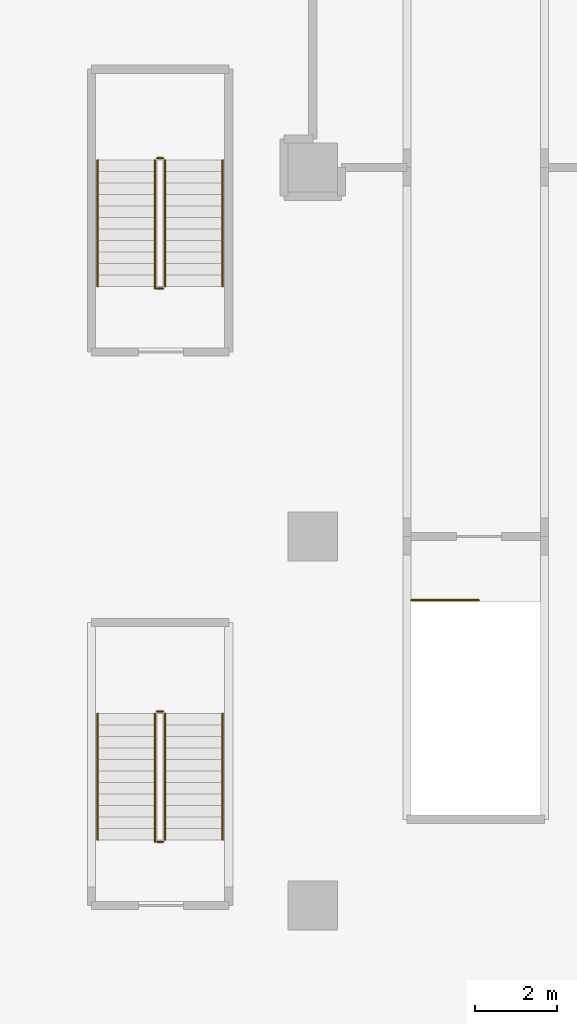
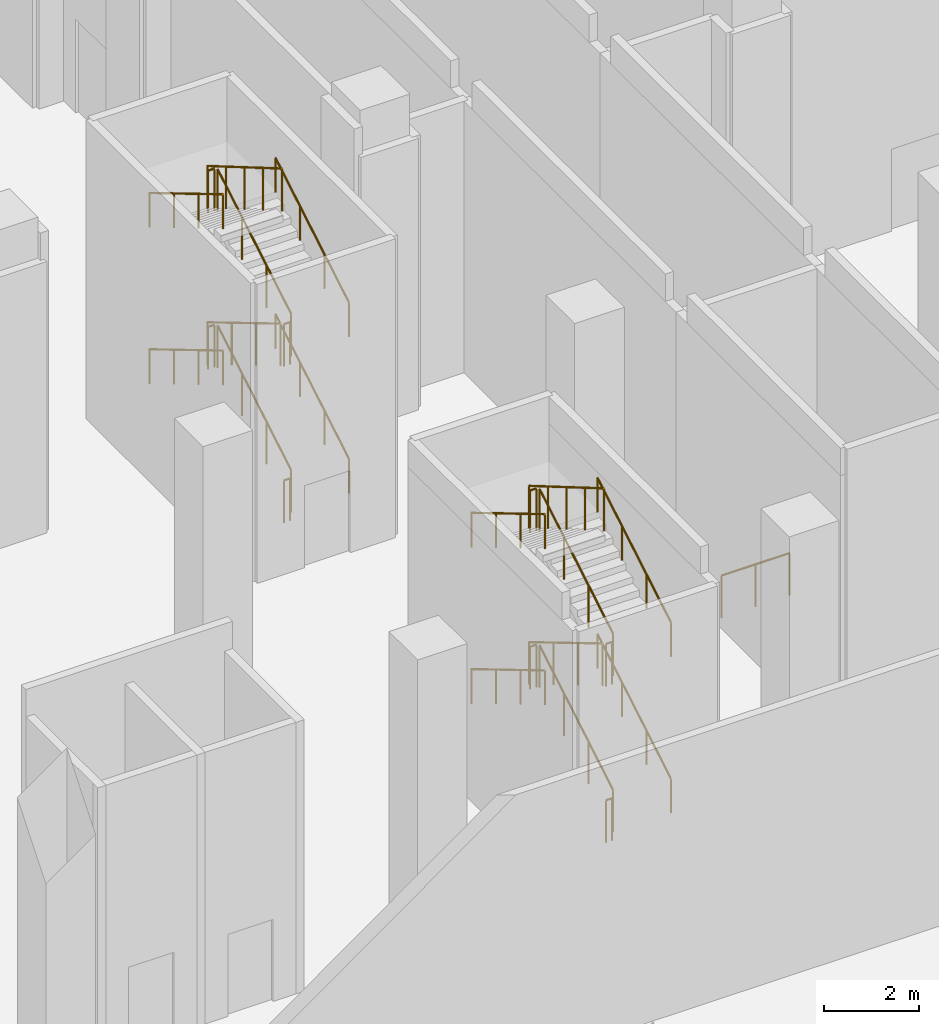
# One storey, part 34 of 42: 25 railings.
"""IFC4 building model written with IfcOpenShell, lengths in metres."""

from ifc_helpers import new_model, si_unit, direction, frame, origin, origin_2d, place, context, subcontext, project, spatial, circle, extrude, material, type_object, element, save


model = new_model("IFC4")

# Units and contexts
model_context = context("Model", 3, precision=1e-05, world=origin(), true_north=direction((0.0, 1.0)))
body_context = subcontext(model_context, "Body", "Model", "MODEL_VIEW")
ifc_project = project(units=[si_unit("LENGTHUNIT", "METRE"), si_unit("AREAUNIT", "SQUARE_METRE"), si_unit("VOLUMEUNIT", "CUBIC_METRE"), si_unit("PLANEANGLEUNIT", "RADIAN"), si_unit("MASSUNIT", "GRAM", prefix="KILO")], contexts=[model_context])

# Site, building, storey
site_placement = place(None, origin())
site = spatial("IfcSite", under=ifc_project, at=site_placement, CompositionType="ELEMENT")
building_placement = place(site_placement, origin())
building = spatial("IfcBuilding", under=site, at=building_placement, Name="Plateau Cross Towers", CompositionType="ELEMENT")
storey_placement = place(building_placement, origin())
storey = spatial("IfcBuildingStorey", under=building, at=storey_placement, Name="L00", CompositionType="ELEMENT", Elevation=0.0)

# Railings
ifc_material_1 = material(Name="Stainless steel and toughened glass", Category="steel")
railing_type_1 = type_object("IfcRailingType", Name="RL-GUARD-1100", PredefinedType="GUARDRAIL", material=ifc_material_1)
railing_1_placement = place(storey_placement, frame((38.39990234375, 34.449951171875, 0.0)))
element("IfcRailing", 1, at=railing_1_placement, inside=storey, type_object=railing_type_1, Name="L00 PB2 top well guard 1", PredefinedType="GUARDRAIL", context=body_context, shape_type="SweptSolid", body=[
    extrude(circle(Radius=0.02392578125, at=origin_2d()), frame((0.0, 0.0, 1.076171875), z_axis=(1.0, 0.0, 0.0), x_axis=(0.0, 1.0, 0.0)), (0.0, 0.0, 1.0), 1.650146484375),
    extrude(circle(Radius=0.02099609375, at=origin_2d()), origin(), (0.0, 0.0, 1.0), 1.052001953125),
    extrude(circle(Radius=0.02099609375, at=origin_2d()), frame((0.8251953125, 0.0, 0.0)), (0.0, 0.0, 1.0), 1.052001953125),
    extrude(circle(Radius=0.02099609375, at=origin_2d()), frame((1.650146484375, 0.0, 0.0)), (0.0, 0.0, 1.0), 1.052001953125),
])
railing_2_placement = place(storey_placement, frame((32.39990234375, 28.60009765625, 0.166748046875)))
element("IfcRailing", 2, at=railing_2_placement, inside=storey, type_object=railing_type_1, Name="L00 PS1 stair guard 1", PredefinedType="GUARDRAIL", context=body_context, shape_type="SweptSolid", body=[
    extrude(circle(Radius=0.02392578125, at=origin_2d()), frame((0.0, 0.0, 1.076171875), z_axis=(0.0, 0.859290745958, 0.51148745235), x_axis=(-1.0, 0.0, 0.0)), (0.0, 0.0, 1.0), 3.584228515625),
    extrude(circle(Radius=0.02099609375, at=origin_2d()), origin(), (0.0, 0.0, 1.0), 1.052001953125),
    extrude(circle(Radius=0.02099609375, at=origin_2d()), frame((0.0, 1.026611328125, 0.611083984375)), (0.0, 0.0, 1.0), 1.052001953125),
    extrude(circle(Radius=0.02099609375, at=origin_2d()), frame((0.0, 2.05322265625, 1.22216796875)), (0.0, 0.0, 1.0), 1.052001953125),
    extrude(circle(Radius=0.02099609375, at=origin_2d()), frame((0.0, 3.079833984375, 1.833251953125)), (0.0, 0.0, 1.0), 1.052001953125),
])
railing_3_placement = place(storey_placement, frame((32.35009765625, 31.72998046875, 2.0)))
element("IfcRailing", 3, at=railing_3_placement, inside=storey, type_object=railing_type_1, Name="L00 PS1 stair guard 2", PredefinedType="GUARDRAIL", context=body_context, shape_type="SweptSolid", body=[
    extrude(circle(Radius=0.02392578125, at=origin_2d()), frame((0.0, 0.0, 1.076171875), z_axis=(-1.0, 0.0, 0.0), x_axis=(0.0, -1.0, 0.0)), (0.0, 0.0, 1.0), 0.150146484375),
    extrude(circle(Radius=0.02099609375, at=origin_2d()), origin(), (0.0, 0.0, 1.0), 1.052001953125),
    extrude(circle(Radius=0.02099609375, at=origin_2d()), frame((-0.150146484375, 0.0, 0.0)), (0.0, 0.0, 1.0), 1.052001953125),
])
railing_4_placement = place(storey_placement, frame((32.14990234375, 31.679931640625, 2.166748046875)))
element("IfcRailing", 4, at=railing_4_placement, inside=storey, type_object=railing_type_1, Name="L00 PS1 stair guard 3", PredefinedType="GUARDRAIL", context=body_context, shape_type="SweptSolid", body=[
    extrude(circle(Radius=0.02392578125, at=origin_2d()), frame((0.0, 0.0, 1.076171875), z_axis=(0.0, -0.859290745958, 0.51148745235), x_axis=(1.0, 0.0, 0.0)), (0.0, 0.0, 1.0), 3.584228515625),
    extrude(circle(Radius=0.02099609375, at=origin_2d()), origin(), (0.0, 0.0, 1.0), 1.052001953125),
    extrude(circle(Radius=0.02099609375, at=origin_2d()), frame((0.0, -1.026611328125, 0.611083984375)), (0.0, 0.0, 1.0), 1.052001953125),
    extrude(circle(Radius=0.02099609375, at=origin_2d()), frame((0.0, -2.05322265625, 1.22216796875)), (0.0, 0.0, 1.0), 1.052001953125),
    extrude(circle(Radius=0.02099609375, at=origin_2d()), frame((0.0, -3.079833984375, 1.833251953125)), (0.0, 0.0, 1.0), 1.052001953125),
])
railing_5_placement = place(storey_placement, frame((32.35009765625, 28.550048828125, 4.0)))
element("IfcRailing", 5, at=railing_5_placement, inside=storey, type_object=railing_type_1, Name="L00 PS1 stair guard 4", PredefinedType="GUARDRAIL", context=body_context, shape_type="SweptSolid", body=[
    extrude(circle(Radius=0.02392578125, at=origin_2d()), frame((0.0, 0.0, 1.076171875), z_axis=(-1.0, 0.0, 0.0), x_axis=(0.0, -1.0, 0.0)), (0.0, 0.0, 1.0), 0.150146484375),
    extrude(circle(Radius=0.02099609375, at=origin_2d()), origin(), (0.0, 0.0, 1.0), 1.052001953125),
    extrude(circle(Radius=0.02099609375, at=origin_2d()), frame((-0.150146484375, 0.0, 0.0)), (0.0, 0.0, 1.0), 1.052001953125),
])
railing_6_placement = place(storey_placement, frame((32.39990234375, 28.60009765625, 4.166748046875)))
element("IfcRailing", 6, at=railing_6_placement, inside=storey, type_object=railing_type_1, Name="L00 PS1 stair guard 5", PredefinedType="GUARDRAIL", context=body_context, shape_type="SweptSolid", body=[
    extrude(circle(Radius=0.02392578125, at=origin_2d()), frame((0.0, 0.0, 1.076171875), z_axis=(0.0, 0.859290745958, 0.51148745235), x_axis=(-1.0, 0.0, 0.0)), (0.0, 0.0, 1.0), 3.584228515625),
    extrude(circle(Radius=0.02099609375, at=origin_2d()), origin(), (0.0, 0.0, 1.0), 1.052001953125),
    extrude(circle(Radius=0.02099609375, at=origin_2d()), frame((0.0, 1.026611328125, 0.611083984375)), (0.0, 0.0, 1.0), 1.052001953125),
    extrude(circle(Radius=0.02099609375, at=origin_2d()), frame((0.0, 2.05322265625, 1.22216796875)), (0.0, 0.0, 1.0), 1.052001953125),
    extrude(circle(Radius=0.02099609375, at=origin_2d()), frame((0.0, 3.079833984375, 1.833251953125)), (0.0, 0.0, 1.0), 1.052001953125),
])
railing_7_placement = place(storey_placement, frame((32.35009765625, 31.72998046875, 6.0)))
element("IfcRailing", 7, at=railing_7_placement, inside=storey, type_object=railing_type_1, Name="L00 PS1 stair guard 6", PredefinedType="GUARDRAIL", context=body_context, shape_type="SweptSolid", body=[
    extrude(circle(Radius=0.02392578125, at=origin_2d()), frame((0.0, 0.0, 1.076171875), z_axis=(-1.0, 0.0, 0.0), x_axis=(0.0, -1.0, 0.0)), (0.0, 0.0, 1.0), 0.150146484375),
    extrude(circle(Radius=0.02099609375, at=origin_2d()), origin(), (0.0, 0.0, 1.0), 1.052001953125),
    extrude(circle(Radius=0.02099609375, at=origin_2d()), frame((-0.150146484375, 0.0, 0.0)), (0.0, 0.0, 1.0), 1.052001953125),
])
railing_8_placement = place(storey_placement, frame((32.14990234375, 31.679931640625, 6.166748046875)))
element("IfcRailing", 8, at=railing_8_placement, inside=storey, type_object=railing_type_1, Name="L00 PS1 stair guard 7", PredefinedType="GUARDRAIL", context=body_context, shape_type="SweptSolid", body=[
    extrude(circle(Radius=0.02392578125, at=origin_2d()), frame((0.0, 0.0, 1.076171875), z_axis=(0.0, -0.862879167799, 0.505410270749), x_axis=(1.0, 0.0, 0.0)), (0.0, 0.0, 1.0), 3.627197265625),
    extrude(circle(Radius=0.02099609375, at=origin_2d()), origin(), (0.0, 0.0, 1.0), 1.052001953125),
    extrude(circle(Radius=0.02099609375, at=origin_2d()), frame((0.0, -0.782470703125, 0.458251953125)), (0.0, 0.0, 1.0), 1.052001953125),
    extrude(circle(Radius=0.02099609375, at=origin_2d()), frame((0.0, -1.56494140625, 0.91650390625)), (0.0, 0.0, 1.0), 1.052001953125),
    extrude(circle(Radius=0.02099609375, at=origin_2d()), frame((0.0, -2.347412109375, 1.375)), (0.0, 0.0, 1.0), 1.052001953125),
    extrude(circle(Radius=0.02099609375, at=origin_2d()), frame((0.0, -3.1298828125, 1.833251953125)), (0.0, 0.0, 1.0), 1.052001953125),
])
railing_9_placement = place(storey_placement, frame((32.35009765625, 28.550048828125, 0.0)))
element("IfcRailing", 9, at=railing_9_placement, inside=storey, type_object=railing_type_1, Name="L00 PS1 stair guard 8", PredefinedType="GUARDRAIL", context=body_context, shape_type="SweptSolid", body=[
    extrude(circle(Radius=0.02392578125, at=origin_2d()), frame((0.0, 0.0, 1.076171875), z_axis=(-1.0, 0.0, 0.0), x_axis=(0.0, -1.0, 0.0)), (0.0, 0.0, 1.0), 0.150146484375),
    extrude(circle(Radius=0.02099609375, at=origin_2d()), origin(), (0.0, 0.0, 1.0), 1.052001953125),
    extrude(circle(Radius=0.02099609375, at=origin_2d()), frame((-0.150146484375, 0.0, 0.0)), (0.0, 0.0, 1.0), 1.052001953125),
])
railing_10_placement = place(storey_placement, frame((32.39990234375, 42.10009765625, 0.166748046875)))
element("IfcRailing", 10, at=railing_10_placement, inside=storey, type_object=railing_type_1, Name="L00 PS2 stair guard 1", PredefinedType="GUARDRAIL", context=body_context, shape_type="SweptSolid", body=[
    extrude(circle(Radius=0.02392578125, at=origin_2d()), frame((0.0, 0.0, 1.076171875), z_axis=(0.0, 0.859290745958, 0.51148745235), x_axis=(-1.0, 0.0, 0.0)), (0.0, 0.0, 1.0), 3.584228515625),
    extrude(circle(Radius=0.02099609375, at=origin_2d()), origin(), (0.0, 0.0, 1.0), 1.052001953125),
    extrude(circle(Radius=0.02099609375, at=origin_2d()), frame((0.0, 1.026611328125, 0.611083984375)), (0.0, 0.0, 1.0), 1.052001953125),
    extrude(circle(Radius=0.02099609375, at=origin_2d()), frame((0.0, 2.05322265625, 1.22216796875)), (0.0, 0.0, 1.0), 1.052001953125),
    extrude(circle(Radius=0.02099609375, at=origin_2d()), frame((0.0, 3.079833984375, 1.833251953125)), (0.0, 0.0, 1.0), 1.052001953125),
])
railing_11_placement = place(storey_placement, frame((32.35009765625, 45.22998046875, 2.0)))
element("IfcRailing", 11, at=railing_11_placement, inside=storey, type_object=railing_type_1, Name="L00 PS2 stair guard 2", PredefinedType="GUARDRAIL", context=body_context, shape_type="SweptSolid", body=[
    extrude(circle(Radius=0.02392578125, at=origin_2d()), frame((0.0, 0.0, 1.076171875), z_axis=(-1.0, 0.0, 0.0), x_axis=(0.0, -1.0, 0.0)), (0.0, 0.0, 1.0), 0.150146484375),
    extrude(circle(Radius=0.02099609375, at=origin_2d()), origin(), (0.0, 0.0, 1.0), 1.052001953125),
    extrude(circle(Radius=0.02099609375, at=origin_2d()), frame((-0.150146484375, 0.0, 0.0)), (0.0, 0.0, 1.0), 1.052001953125),
])
railing_12_placement = place(storey_placement, frame((32.14990234375, 45.179931640625, 2.166748046875)))
element("IfcRailing", 12, at=railing_12_placement, inside=storey, type_object=railing_type_1, Name="L00 PS2 stair guard 3", PredefinedType="GUARDRAIL", context=body_context, shape_type="SweptSolid", body=[
    extrude(circle(Radius=0.02392578125, at=origin_2d()), frame((0.0, 0.0, 1.076171875), z_axis=(0.0, -0.859290745958, 0.51148745235), x_axis=(1.0, 0.0, 0.0)), (0.0, 0.0, 1.0), 3.584228515625),
    extrude(circle(Radius=0.02099609375, at=origin_2d()), origin(), (0.0, 0.0, 1.0), 1.052001953125),
    extrude(circle(Radius=0.02099609375, at=origin_2d()), frame((0.0, -1.026611328125, 0.611083984375)), (0.0, 0.0, 1.0), 1.052001953125),
    extrude(circle(Radius=0.02099609375, at=origin_2d()), frame((0.0, -2.05322265625, 1.22216796875)), (0.0, 0.0, 1.0), 1.052001953125),
    extrude(circle(Radius=0.02099609375, at=origin_2d()), frame((0.0, -3.079833984375, 1.833251953125)), (0.0, 0.0, 1.0), 1.052001953125),
])
railing_13_placement = place(storey_placement, frame((32.35009765625, 42.050048828125, 4.0)))
element("IfcRailing", 13, at=railing_13_placement, inside=storey, type_object=railing_type_1, Name="L00 PS2 stair guard 4", PredefinedType="GUARDRAIL", context=body_context, shape_type="SweptSolid", body=[
    extrude(circle(Radius=0.02392578125, at=origin_2d()), frame((0.0, 0.0, 1.076171875), z_axis=(-1.0, 0.0, 0.0), x_axis=(0.0, -1.0, 0.0)), (0.0, 0.0, 1.0), 0.150146484375),
    extrude(circle(Radius=0.02099609375, at=origin_2d()), origin(), (0.0, 0.0, 1.0), 1.052001953125),
    extrude(circle(Radius=0.02099609375, at=origin_2d()), frame((-0.150146484375, 0.0, 0.0)), (0.0, 0.0, 1.0), 1.052001953125),
])
railing_14_placement = place(storey_placement, frame((32.39990234375, 42.10009765625, 4.166748046875)))
element("IfcRailing", 14, at=railing_14_placement, inside=storey, type_object=railing_type_1, Name="L00 PS2 stair guard 5", PredefinedType="GUARDRAIL", context=body_context, shape_type="SweptSolid", body=[
    extrude(circle(Radius=0.02392578125, at=origin_2d()), frame((0.0, 0.0, 1.076171875), z_axis=(0.0, 0.859290745958, 0.51148745235), x_axis=(-1.0, 0.0, 0.0)), (0.0, 0.0, 1.0), 3.584228515625),
    extrude(circle(Radius=0.02099609375, at=origin_2d()), origin(), (0.0, 0.0, 1.0), 1.052001953125),
    extrude(circle(Radius=0.02099609375, at=origin_2d()), frame((0.0, 1.026611328125, 0.611083984375)), (0.0, 0.0, 1.0), 1.052001953125),
    extrude(circle(Radius=0.02099609375, at=origin_2d()), frame((0.0, 2.05322265625, 1.22216796875)), (0.0, 0.0, 1.0), 1.052001953125),
    extrude(circle(Radius=0.02099609375, at=origin_2d()), frame((0.0, 3.079833984375, 1.833251953125)), (0.0, 0.0, 1.0), 1.052001953125),
])
railing_15_placement = place(storey_placement, frame((32.35009765625, 45.22998046875, 6.0)))
element("IfcRailing", 15, at=railing_15_placement, inside=storey, type_object=railing_type_1, Name="L00 PS2 stair guard 6", PredefinedType="GUARDRAIL", context=body_context, shape_type="SweptSolid", body=[
    extrude(circle(Radius=0.02392578125, at=origin_2d()), frame((0.0, 0.0, 1.076171875), z_axis=(-1.0, 0.0, 0.0), x_axis=(0.0, -1.0, 0.0)), (0.0, 0.0, 1.0), 0.150146484375),
    extrude(circle(Radius=0.02099609375, at=origin_2d()), origin(), (0.0, 0.0, 1.0), 1.052001953125),
    extrude(circle(Radius=0.02099609375, at=origin_2d()), frame((-0.150146484375, 0.0, 0.0)), (0.0, 0.0, 1.0), 1.052001953125),
])
railing_16_placement = place(storey_placement, frame((32.14990234375, 45.179931640625, 6.166748046875)))
element("IfcRailing", 16, at=railing_16_placement, inside=storey, type_object=railing_type_1, Name="L00 PS2 stair guard 7", PredefinedType="GUARDRAIL", context=body_context, shape_type="SweptSolid", body=[
    extrude(circle(Radius=0.02392578125, at=origin_2d()), frame((0.0, 0.0, 1.076171875), z_axis=(0.0, -0.862879167799, 0.505410270749), x_axis=(1.0, 0.0, 0.0)), (0.0, 0.0, 1.0), 3.627197265625),
    extrude(circle(Radius=0.02099609375, at=origin_2d()), origin(), (0.0, 0.0, 1.0), 1.052001953125),
    extrude(circle(Radius=0.02099609375, at=origin_2d()), frame((0.0, -0.782470703125, 0.458251953125)), (0.0, 0.0, 1.0), 1.052001953125),
    extrude(circle(Radius=0.02099609375, at=origin_2d()), frame((0.0, -1.56494140625, 0.91650390625)), (0.0, 0.0, 1.0), 1.052001953125),
    extrude(circle(Radius=0.02099609375, at=origin_2d()), frame((0.0, -2.347412109375, 1.375)), (0.0, 0.0, 1.0), 1.052001953125),
    extrude(circle(Radius=0.02099609375, at=origin_2d()), frame((0.0, -3.1298828125, 1.833251953125)), (0.0, 0.0, 1.0), 1.052001953125),
])
railing_17_placement = place(storey_placement, frame((32.35009765625, 42.050048828125, 0.0)))
element("IfcRailing", 17, at=railing_17_placement, inside=storey, type_object=railing_type_1, Name="L00 PS2 stair guard 8", PredefinedType="GUARDRAIL", context=body_context, shape_type="SweptSolid", body=[
    extrude(circle(Radius=0.02392578125, at=origin_2d()), frame((0.0, 0.0, 1.076171875), z_axis=(-1.0, 0.0, 0.0), x_axis=(0.0, -1.0, 0.0)), (0.0, 0.0, 1.0), 0.150146484375),
    extrude(circle(Radius=0.02099609375, at=origin_2d()), origin(), (0.0, 0.0, 1.0), 1.052001953125),
    extrude(circle(Radius=0.02099609375, at=origin_2d()), frame((-0.150146484375, 0.0, 0.0)), (0.0, 0.0, 1.0), 1.052001953125),
])
ifc_material_2 = material(Name="Black anodised aluminium", Category="aluminium")
railing_type_2 = type_object("IfcRailingType", Name="RL-HANDRAIL-900", PredefinedType="HANDRAIL", material=ifc_material_2)
railing_18_placement = place(storey_placement, frame((33.800048828125, 28.60009765625, 0.166748046875)))
element("IfcRailing", 18, at=railing_18_placement, inside=storey, type_object=railing_type_2, Name="L00 PS1 stair handrail 1", PredefinedType="HANDRAIL", context=body_context, shape_type="SweptSolid", body=[
    extrude(circle(Radius=0.02392578125, at=origin_2d()), frame((0.0, 0.0, 0.8759765625), z_axis=(0.0, 0.859290745958, 0.51148745235), x_axis=(-1.0, 0.0, 0.0)), (0.0, 0.0, 1.0), 3.584228515625),
    extrude(circle(Radius=0.02099609375, at=origin_2d()), origin(), (0.0, 0.0, 1.0), 0.851806640625),
    extrude(circle(Radius=0.02099609375, at=origin_2d()), frame((0.0, 1.026611328125, 0.611083984375)), (0.0, 0.0, 1.0), 0.851806640625),
    extrude(circle(Radius=0.02099609375, at=origin_2d()), frame((0.0, 2.05322265625, 1.22216796875)), (0.0, 0.0, 1.0), 0.851806640625),
    extrude(circle(Radius=0.02099609375, at=origin_2d()), frame((0.0, 3.079833984375, 1.833251953125)), (0.0, 0.0, 1.0), 0.851806640625),
])
railing_19_placement = place(storey_placement, frame((30.75, 31.679931640625, 2.166748046875)))
element("IfcRailing", 19, at=railing_19_placement, inside=storey, type_object=railing_type_2, Name="L00 PS1 stair handrail 2", PredefinedType="HANDRAIL", context=body_context, shape_type="SweptSolid", body=[
    extrude(circle(Radius=0.02392578125, at=origin_2d()), frame((0.0, 0.0, 0.8759765625), z_axis=(0.0, -0.859290745958, 0.51148745235), x_axis=(1.0, 0.0, 0.0)), (0.0, 0.0, 1.0), 3.584228515625),
    extrude(circle(Radius=0.02099609375, at=origin_2d()), origin(), (0.0, 0.0, 1.0), 0.851806640625),
    extrude(circle(Radius=0.02099609375, at=origin_2d()), frame((0.0, -1.026611328125, 0.611083984375)), (0.0, 0.0, 1.0), 0.851806640625),
    extrude(circle(Radius=0.02099609375, at=origin_2d()), frame((0.0, -2.05322265625, 1.22216796875)), (0.0, 0.0, 1.0), 0.851806640625),
    extrude(circle(Radius=0.02099609375, at=origin_2d()), frame((0.0, -3.079833984375, 1.833251953125)), (0.0, 0.0, 1.0), 0.851806640625),
])
railing_20_placement = place(storey_placement, frame((33.800048828125, 28.60009765625, 4.166748046875)))
element("IfcRailing", 20, at=railing_20_placement, inside=storey, type_object=railing_type_2, Name="L00 PS1 stair handrail 3", PredefinedType="HANDRAIL", context=body_context, shape_type="SweptSolid", body=[
    extrude(circle(Radius=0.02392578125, at=origin_2d()), frame((0.0, 0.0, 0.8759765625), z_axis=(0.0, 0.859290745958, 0.51148745235), x_axis=(-1.0, 0.0, 0.0)), (0.0, 0.0, 1.0), 3.584228515625),
    extrude(circle(Radius=0.02099609375, at=origin_2d()), origin(), (0.0, 0.0, 1.0), 0.851806640625),
    extrude(circle(Radius=0.02099609375, at=origin_2d()), frame((0.0, 1.026611328125, 0.611083984375)), (0.0, 0.0, 1.0), 0.851806640625),
    extrude(circle(Radius=0.02099609375, at=origin_2d()), frame((0.0, 2.05322265625, 1.22216796875)), (0.0, 0.0, 1.0), 0.851806640625),
    extrude(circle(Radius=0.02099609375, at=origin_2d()), frame((0.0, 3.079833984375, 1.833251953125)), (0.0, 0.0, 1.0), 0.851806640625),
])
railing_21_placement = place(storey_placement, frame((30.75, 31.679931640625, 6.166748046875)))
element("IfcRailing", 21, at=railing_21_placement, inside=storey, type_object=railing_type_2, Name="L00 PS1 stair handrail 4", PredefinedType="HANDRAIL", context=body_context, shape_type="SweptSolid", body=[
    extrude(circle(Radius=0.02392578125, at=origin_2d()), frame((0.0, 0.0, 0.8759765625), z_axis=(0.0, -0.859290745958, 0.51148745235), x_axis=(1.0, 0.0, 0.0)), (0.0, 0.0, 1.0), 3.584228515625),
    extrude(circle(Radius=0.02099609375, at=origin_2d()), origin(), (0.0, 0.0, 1.0), 0.851806640625),
    extrude(circle(Radius=0.02099609375, at=origin_2d()), frame((0.0, -1.026611328125, 0.611083984375)), (0.0, 0.0, 1.0), 0.851806640625),
    extrude(circle(Radius=0.02099609375, at=origin_2d()), frame((0.0, -2.05322265625, 1.22216796875)), (0.0, 0.0, 1.0), 0.851806640625),
    extrude(circle(Radius=0.02099609375, at=origin_2d()), frame((0.0, -3.079833984375, 1.833251953125)), (0.0, 0.0, 1.0), 0.851806640625),
])
railing_22_placement = place(storey_placement, frame((33.800048828125, 42.10009765625, 0.166748046875)))
element("IfcRailing", 22, at=railing_22_placement, inside=storey, type_object=railing_type_2, Name="L00 PS2 stair handrail 1", PredefinedType="HANDRAIL", context=body_context, shape_type="SweptSolid", body=[
    extrude(circle(Radius=0.02392578125, at=origin_2d()), frame((0.0, 0.0, 0.8759765625), z_axis=(0.0, 0.859290745958, 0.51148745235), x_axis=(-1.0, 0.0, 0.0)), (0.0, 0.0, 1.0), 3.584228515625),
    extrude(circle(Radius=0.02099609375, at=origin_2d()), origin(), (0.0, 0.0, 1.0), 0.851806640625),
    extrude(circle(Radius=0.02099609375, at=origin_2d()), frame((0.0, 1.026611328125, 0.611083984375)), (0.0, 0.0, 1.0), 0.851806640625),
    extrude(circle(Radius=0.02099609375, at=origin_2d()), frame((0.0, 2.05322265625, 1.22216796875)), (0.0, 0.0, 1.0), 0.851806640625),
    extrude(circle(Radius=0.02099609375, at=origin_2d()), frame((0.0, 3.079833984375, 1.833251953125)), (0.0, 0.0, 1.0), 0.851806640625),
])
railing_23_placement = place(storey_placement, frame((30.75, 45.179931640625, 2.166748046875)))
element("IfcRailing", 23, at=railing_23_placement, inside=storey, type_object=railing_type_2, Name="L00 PS2 stair handrail 2", PredefinedType="HANDRAIL", context=body_context, shape_type="SweptSolid", body=[
    extrude(circle(Radius=0.02392578125, at=origin_2d()), frame((0.0, 0.0, 0.8759765625), z_axis=(0.0, -0.859290745958, 0.51148745235), x_axis=(1.0, 0.0, 0.0)), (0.0, 0.0, 1.0), 3.584228515625),
    extrude(circle(Radius=0.02099609375, at=origin_2d()), origin(), (0.0, 0.0, 1.0), 0.851806640625),
    extrude(circle(Radius=0.02099609375, at=origin_2d()), frame((0.0, -1.026611328125, 0.611083984375)), (0.0, 0.0, 1.0), 0.851806640625),
    extrude(circle(Radius=0.02099609375, at=origin_2d()), frame((0.0, -2.05322265625, 1.22216796875)), (0.0, 0.0, 1.0), 0.851806640625),
    extrude(circle(Radius=0.02099609375, at=origin_2d()), frame((0.0, -3.079833984375, 1.833251953125)), (0.0, 0.0, 1.0), 0.851806640625),
])
railing_24_placement = place(storey_placement, frame((33.800048828125, 42.10009765625, 4.166748046875)))
element("IfcRailing", 24, at=railing_24_placement, inside=storey, type_object=railing_type_2, Name="L00 PS2 stair handrail 3", PredefinedType="HANDRAIL", context=body_context, shape_type="SweptSolid", body=[
    extrude(circle(Radius=0.02392578125, at=origin_2d()), frame((0.0, 0.0, 0.8759765625), z_axis=(0.0, 0.859290745958, 0.51148745235), x_axis=(-1.0, 0.0, 0.0)), (0.0, 0.0, 1.0), 3.584228515625),
    extrude(circle(Radius=0.02099609375, at=origin_2d()), origin(), (0.0, 0.0, 1.0), 0.851806640625),
    extrude(circle(Radius=0.02099609375, at=origin_2d()), frame((0.0, 1.026611328125, 0.611083984375)), (0.0, 0.0, 1.0), 0.851806640625),
    extrude(circle(Radius=0.02099609375, at=origin_2d()), frame((0.0, 2.05322265625, 1.22216796875)), (0.0, 0.0, 1.0), 0.851806640625),
    extrude(circle(Radius=0.02099609375, at=origin_2d()), frame((0.0, 3.079833984375, 1.833251953125)), (0.0, 0.0, 1.0), 0.851806640625),
])
railing_25_placement = place(storey_placement, frame((30.75, 45.179931640625, 6.166748046875)))
element("IfcRailing", 25, at=railing_25_placement, inside=storey, type_object=railing_type_2, Name="L00 PS2 stair handrail 4", PredefinedType="HANDRAIL", context=body_context, shape_type="SweptSolid", body=[
    extrude(circle(Radius=0.02392578125, at=origin_2d()), frame((0.0, 0.0, 0.8759765625), z_axis=(0.0, -0.859290745958, 0.51148745235), x_axis=(1.0, 0.0, 0.0)), (0.0, 0.0, 1.0), 3.584228515625),
    extrude(circle(Radius=0.02099609375, at=origin_2d()), origin(), (0.0, 0.0, 1.0), 0.851806640625),
    extrude(circle(Radius=0.02099609375, at=origin_2d()), frame((0.0, -1.026611328125, 0.611083984375)), (0.0, 0.0, 1.0), 0.851806640625),
    extrude(circle(Radius=0.02099609375, at=origin_2d()), frame((0.0, -2.05322265625, 1.22216796875)), (0.0, 0.0, 1.0), 0.851806640625),
    extrude(circle(Radius=0.02099609375, at=origin_2d()), frame((0.0, -3.079833984375, 1.833251953125)), (0.0, 0.0, 1.0), 0.851806640625),
])

save(model, "model.ifc")
